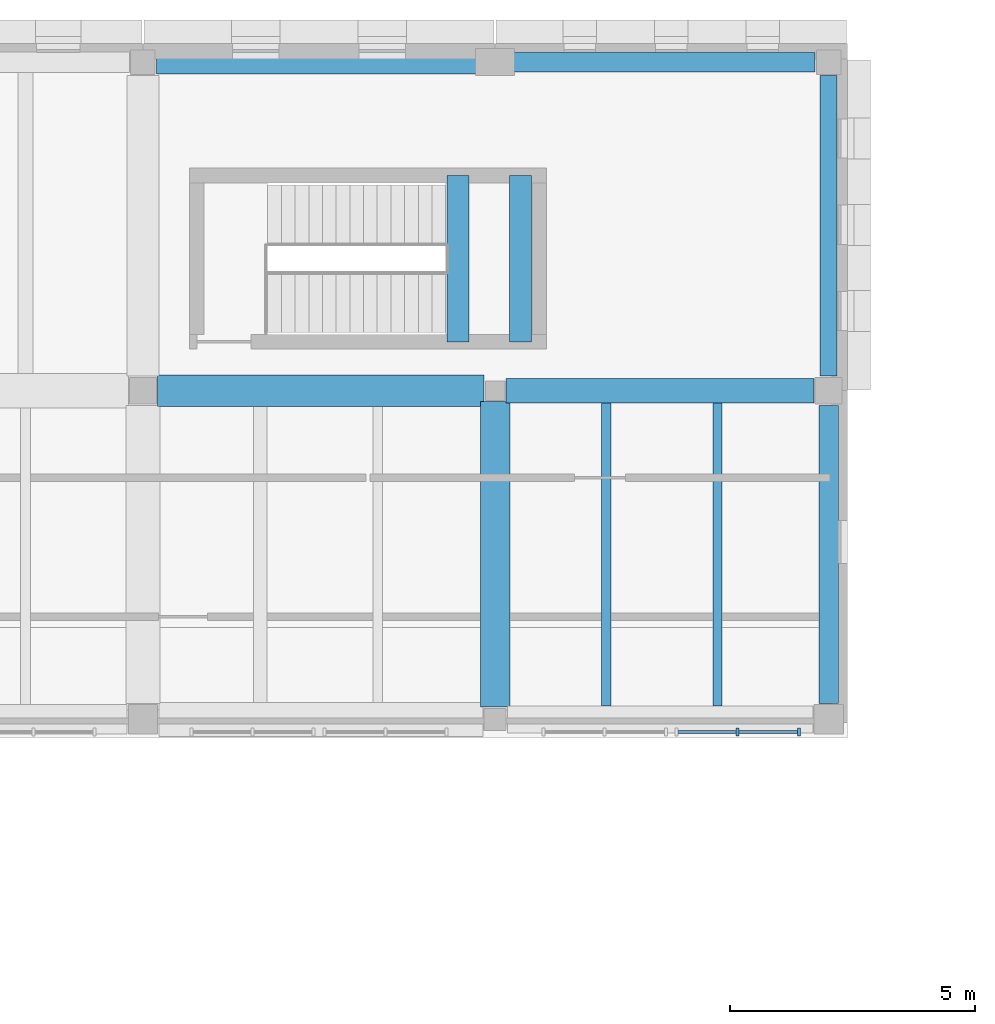
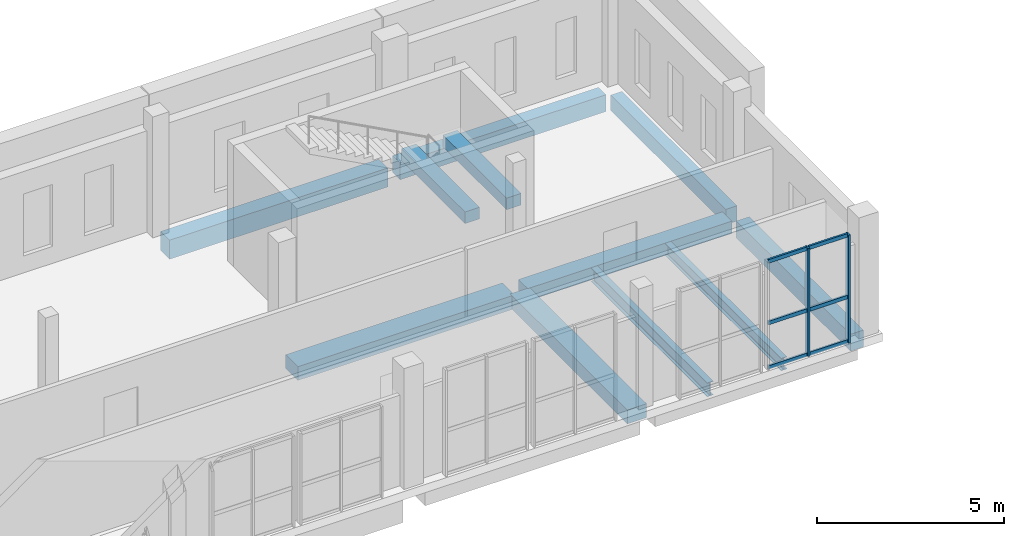
# One storey, part 19 of 56: 11 beams, 8 members, 1 element without a shape of its own.
"""IFC4 building model written with IfcOpenShell, lengths in metres."""

from ifc_helpers import new_model, si_unit, direction, frame, origin, origin_2d, place, context, subcontext, project, spatial, rectangle, i_section, extrude, material, layer, layer_set, material_profile, profile_set, type_object, element, aggregate, save


model = new_model("IFC4")

# Units and contexts
model_context = context("Model", 3, precision=1e-05, world=origin(), true_north=direction((0.0, 1.0)))
body_context = subcontext(model_context, "Body", "Model", "MODEL_VIEW")
ifc_project = project(units=[si_unit("LENGTHUNIT", "METRE"), si_unit("AREAUNIT", "SQUARE_METRE"), si_unit("VOLUMEUNIT", "CUBIC_METRE"), si_unit("PLANEANGLEUNIT", "RADIAN"), si_unit("MASSUNIT", "GRAM", prefix="KILO")], contexts=[model_context])

# Site, building, storey
site_placement = place(None, origin())
site = spatial("IfcSite", under=ifc_project, at=site_placement, CompositionType="ELEMENT")
building_placement = place(site_placement, origin())
building = spatial("IfcBuilding", under=site, at=building_placement, Name="Vardoun Plaza Health Centre", CompositionType="ELEMENT")
storey_placement = place(building_placement, frame((0.0, 0.0, 8.699951171875)))
storey = spatial("IfcBuildingStorey", under=building, at=storey_placement, Name="L02", CompositionType="ELEMENT", Elevation=8.699951171875)

# Beams
ifc_material_1 = material(Name="Concrete C35/45", Category="concrete")
ifc_material_profile_1 = material_profile(ifc_material_1, rectangle(XDim=0.35009765625, YDim=0.5, at=origin_2d()), Name="RC-BM 350x500")
ifc_profile_set_1 = profile_set([ifc_material_profile_1], Name="Concrete C35/45")
beam_type_1 = type_object("IfcBeamType", Name="B-08", PredefinedType="SPANDREL", material=ifc_profile_set_1)
beam_1_placement = place(storey_placement, frame((47.320068359375, 108.5, -0.514892578125), z_axis=(0.0, 1.0, 0.0), x_axis=(-1.0, 0.0, 0.0)))
element("IfcBeam", 1, at=beam_1_placement, inside=storey, type_object=beam_type_1, Name="V3 L02 Beam B-V3-L02-Y45", PredefinedType="SPANDREL", context=body_context, shape_type="SweptSolid", body=[
    extrude(rectangle(XDim=0.35009765625, YDim=0.5, at=origin_2d()), origin(), (0.0, 0.0, 1.0), 6.14501953125),
])
ifc_material_2 = material(Name="Concrete C35/45", Category="concrete")
ifc_material_profile_2 = material_profile(ifc_material_2, rectangle(XDim=0.39990234375, YDim=0.550048828125, at=origin_2d()), Name="RC-BM 400x550")
ifc_profile_set_2 = profile_set([ifc_material_profile_2], Name="Concrete C35/45")
beam_type_2 = type_object("IfcBeamType", Name="B-09", PredefinedType="SPANDREL", material=ifc_profile_set_2)
beam_2_placement = place(storey_placement, frame((40.699951171875, 114.919921875, -0.5400390625), z_axis=(1.0, 0.0, 0.0), x_axis=(0.0, 1.0, 0.0)))
element("IfcBeam", 2, at=beam_2_placement, inside=storey, type_object=beam_type_2, Name="V3 L02 Beam B-V3-L02-X24", PredefinedType="SPANDREL", context=body_context, shape_type="SweptSolid", body=[
    extrude(rectangle(XDim=0.39990234375, YDim=0.550048828125, at=origin_2d()), origin(), (0.0, 0.0, 1.0), 6.344970703125),
])
beam_3_placement = place(storey_placement, frame((47.320068359375, 101.804931640625, -0.5400390625), z_axis=(0.0, 1.0, 0.0), x_axis=(-1.0, 0.0, 0.0)))
element("IfcBeam", 3, at=beam_3_placement, inside=storey, type_object=beam_type_2, Name="V3 L02 Beam B-V3-L02-Y44", PredefinedType="SPANDREL", context=body_context, shape_type="SweptSolid", body=[
    extrude(rectangle(XDim=0.39990234375, YDim=0.550048828125, at=origin_2d()), origin(), (0.0, 0.0, 1.0), 6.09521484375),
])
ifc_material_3 = material(Name="Concrete C35/45", Category="concrete")
ifc_material_profile_3 = material_profile(ifc_material_3, rectangle(XDim=0.449951171875, YDim=0.3798828125, at=origin_2d()), Name="RC-BM 450x380")
ifc_profile_set_3 = profile_set([ifc_material_profile_3], Name="Concrete C35/45")
beam_type_3 = type_object("IfcBeamType", Name="B-01", PredefinedType="BEAM", material=ifc_profile_set_3)
for number, where, z_axis, x_axis, name in (
    (4, (39.739990234375, 109.199951171875, 1.7099609375), (0.0, 1.0, 0.0), (-1.0, 0.0, 0.0), "Stair ST-C4-L02 Landing Beam 1"),
    (5, (41.02001953125, 109.199951171875, 1.7099609375), (0.0, 1.0, 0.0), (-1.0, 0.0, 0.0), "Stair ST-C4-L02 Landing Beam 2"),
):
    element("IfcBeam", number, at=place(storey_placement, frame(where, z_axis=z_axis, x_axis=x_axis)), inside=storey, type_object=beam_type_3, Name=name, PredefinedType="BEAM", context=body_context, shape_type="SweptSolid", body=[
        extrude(rectangle(XDim=0.449951171875, YDim=0.3798828125, at=origin_2d()), origin(), (0.0, 0.0, 1.0), 3.400146484375),
    ])
ifc_material_4 = material(Name="Concrete C35/45", Category="concrete")
ifc_material_profile_4 = material_profile(ifc_material_4, rectangle(XDim=0.47998046875, YDim=0.6201171875, at=origin_2d()), Name="RC-BM 480x620")
ifc_profile_set_4 = profile_set([ifc_material_profile_4], Name="Concrete C35/45")
beam_type_4 = type_object("IfcBeamType", Name="B-12", PredefinedType="SPANDREL", material=ifc_profile_set_4)
beam_4_placement = place(storey_placement, frame((33.574951171875, 114.919921875, -0.574951171875), z_axis=(1.0, 0.0, 0.0), x_axis=(0.0, 1.0, 0.0)))
element("IfcBeam", 6, at=beam_4_placement, inside=storey, type_object=beam_type_4, Name="V3 L02 Beam B-V3-L02-X21", PredefinedType="SPANDREL", context=body_context, shape_type="SweptSolid", body=[
    extrude(rectangle(XDim=0.47998046875, YDim=0.6201171875, at=origin_2d()), origin(), (0.0, 0.0, 1.0), 6.72509765625),
])
ifc_material_5 = material(Name="Concrete C35/45", Category="concrete")
ifc_material_profile_5 = material_profile(ifc_material_5, rectangle(XDim=0.5, YDim=0.39990234375, at=origin_2d()), Name="RC-BM 500x400")
ifc_profile_set_5 = profile_set([ifc_material_profile_5], Name="Concrete C35/45")
beam_type_5 = type_object("IfcBeamType", Name="B-02", PredefinedType="BEAM", material=ifc_profile_set_5)
beam_5_placement = place(storey_placement, frame((40.72509765625, 108.199951171875, -0.46484375), z_axis=(1.0, 0.0, 0.0), x_axis=(0.0, 1.0, 0.0)))
element("IfcBeam", 7, at=beam_5_placement, inside=storey, type_object=beam_type_5, Name="V3 L02 Beam B-V3-L02-X23", PredefinedType="BEAM", context=body_context, shape_type="SweptSolid", body=[
    extrude(rectangle(XDim=0.5, YDim=0.39990234375, at=origin_2d()), origin(), (0.0, 0.0, 1.0), 6.294921875),
])
ifc_material_6 = material(Name="Concrete C35/45", Category="concrete")
ifc_material_profile_6 = material_profile(ifc_material_6, rectangle(XDim=0.60009765625, YDim=0.449951171875, at=origin_2d()), Name="RC-BM 600x450")
ifc_profile_set_6 = profile_set([ifc_material_profile_6], Name="Concrete C35/45")
beam_type_6 = type_object("IfcBeamType", Name="B-04", PredefinedType="BEAM", material=ifc_profile_set_6)
beam_6_placement = place(storey_placement, frame((40.5, 101.72998046875, -0.489990234375), z_axis=(0.0, 1.0, 0.0), x_axis=(-1.0, 0.0, 0.0)))
element("IfcBeam", 8, at=beam_6_placement, inside=storey, type_object=beam_type_6, Name="V3 L02 Beam B-V3-L02-Y43", PredefinedType="BEAM", context=body_context, shape_type="SweptSolid", body=[
    extrude(rectangle(XDim=0.60009765625, YDim=0.449951171875, at=origin_2d()), origin(), (0.0, 0.0, 1.0), 6.2451171875),
])
ifc_material_7 = material(Name="Concrete C35/45", Category="concrete")
ifc_material_profile_7 = material_profile(ifc_material_7, rectangle(XDim=0.64990234375, YDim=0.449951171875, at=origin_2d()), Name="RC-BM 650x450")
ifc_profile_set_7 = profile_set([ifc_material_profile_7], Name="Concrete C35/45")
beam_type_7 = type_object("IfcBeamType", Name="B-05", PredefinedType="BEAM", material=ifc_profile_set_7)
beam_7_placement = place(storey_placement, frame((33.60009765625, 108.199951171875, -0.489990234375), z_axis=(1.0, 0.0, 0.0), x_axis=(0.0, 1.0, 0.0)))
element("IfcBeam", 9, at=beam_7_placement, inside=storey, type_object=beam_type_7, Name="V3 L02 Beam B-V3-L02-X20", PredefinedType="BEAM", context=body_context, shape_type="SweptSolid", body=[
    extrude(rectangle(XDim=0.64990234375, YDim=0.449951171875, at=origin_2d()), origin(), (0.0, 0.0, 1.0), 6.675048828125),
])
ifc_material_8 = material(Name="Steel S355J2", Category="steel")
ifc_material_profile_8 = material_profile(ifc_material_8, i_section(OverallWidth=0.179931640625, OverallDepth=0.39990234375, WebThickness=0.008544921875, FlangeThickness=0.013427734375, FilletRadius=0.02099609375, at=origin_2d()), Name="IPE 400")
ifc_profile_set_8 = profile_set([ifc_material_profile_8], Name="Steel S355J2")
beam_type_8 = type_object("IfcBeamType", Name="SB-12", PredefinedType="BEAM", material=ifc_profile_set_8)
beam_8_placement = place(storey_placement, frame((45.046875, 101.7548828125, -0.46484375), z_axis=(0.0, 1.0, 0.0), x_axis=(-1.0, 0.0, 0.0)))
element("IfcBeam", 10, at=beam_8_placement, inside=storey, type_object=beam_type_8, Name="V3 L02 Secondary Floor Beam SJ-V3-L02-28", PredefinedType="BEAM", context=body_context, shape_type="SweptSolid", body=[
    extrude(i_section(OverallWidth=0.179931640625, OverallDepth=0.39990234375, WebThickness=0.008544921875, FlangeThickness=0.013427734375, FilletRadius=0.02099609375, at=origin_2d()), origin(), (0.0, 0.0, 1.0), 6.195068359375),
])
ifc_material_9 = material(Name="Steel S355J2", Category="steel")
ifc_material_profile_9 = material_profile(ifc_material_9, i_section(OverallWidth=0.18994140625, OverallDepth=0.449951171875, WebThickness=0.009521484375, FlangeThickness=0.0146484375, FilletRadius=0.02099609375, at=origin_2d()), Name="IPE 450")
ifc_profile_set_9 = profile_set([ifc_material_profile_9], Name="Steel S355J2")
beam_type_9 = type_object("IfcBeamType", Name="SB-11", PredefinedType="BEAM", material=ifc_profile_set_9)
beam_9_placement = place(storey_placement, frame((42.773193359375, 101.7548828125, -0.489990234375), z_axis=(0.0, 1.0, 0.0), x_axis=(-1.0, 0.0, 0.0)))
element("IfcBeam", 11, at=beam_9_placement, inside=storey, type_object=beam_type_9, Name="V3 L02 Secondary Floor Beam SJ-V3-L02-27", PredefinedType="BEAM", context=body_context, shape_type="SweptSolid", body=[
    extrude(i_section(OverallWidth=0.18994140625, OverallDepth=0.449951171875, WebThickness=0.009521484375, FlangeThickness=0.0146484375, FilletRadius=0.02099609375, at=origin_2d()), origin(), (0.0, 0.0, 1.0), 6.195068359375),
])

# Curtain wall, members
ifc_material_10 = material(Name="Aluminium Alloy EN AW-6063-T6 and Low-E Glass", Category="aluminium")
ifc_layer = layer(ifc_material_10, 0.159912109375)
ifc_layer_set = layer_set([ifc_layer], Name="Aluminium Alloy EN AW-6063-T6 and Low-E Glass")
curtain_wall_type = type_object("IfcCurtainWallType", Name="CW-02", PredefinedType="USERDEFINED", material=ifc_layer_set)
curtain_wall_placement = place(storey_placement, origin())
curtain_wall = element("IfcCurtainWall", 12, at=curtain_wall_placement, inside=storey, type_object=curtain_wall_type, Name="Curtain Wall CW-V3-073", ObjectType="COURTYARD_CURTAIN_WALL", PredefinedType="USERDEFINED")
ifc_material_11 = material(Name="Aluminium Alloy EN AW-6063-T6", Category="aluminium")
ifc_material_profile_10 = material_profile(ifc_material_11, rectangle(XDim=0.159912109375, YDim=0.06005859375, at=origin_2d()), Name="CWM 60x160")
ifc_profile_set_10 = profile_set([ifc_material_profile_10], Name="Aluminium Alloy EN AW-6063-T6")
member_type_1 = type_object("IfcMemberType", Name="CW-M1", PredefinedType="MULLION", material=ifc_profile_set_10)
member_1_placement = place(storey_placement, frame((46.7099609375, 101.219970703125, 0.0), z_axis=(0.0, 0.0, 1.0), x_axis=(0.0, -1.0, 0.0)))
member_1 = element("IfcMember", 13, at=member_1_placement, type_object=member_type_1, Name="CW-V3-073 mullion 1", PredefinedType="MULLION", context=body_context, shape_type="SweptSolid", body=[
    extrude(rectangle(XDim=0.159912109375, YDim=0.06005859375, at=origin_2d()), origin(), (0.0, 0.0, 1.0), 3.52001953125),
])
member_2_placement = place(storey_placement, frame((45.4599609375, 101.219970703125, 0.0), z_axis=(0.0, 0.0, 1.0), x_axis=(0.0, -1.0, 0.0)))
member_2 = element("IfcMember", 14, at=member_2_placement, type_object=member_type_1, Name="CW-V3-073 mullion 2", PredefinedType="MULLION", context=body_context, shape_type="SweptSolid", body=[
    extrude(rectangle(XDim=0.159912109375, YDim=0.06005859375, at=origin_2d()), origin(), (0.0, 0.0, 1.0), 3.52001953125),
])
ifc_material_12 = material(Name="Aluminium Alloy EN AW-6063-T6", Category="aluminium")
ifc_material_profile_11 = material_profile(ifc_material_12, rectangle(XDim=0.06005859375, YDim=0.1201171875, at=origin_2d()), Name="CWT 60x120")
ifc_profile_set_11 = profile_set([ifc_material_profile_11], Name="Aluminium Alloy EN AW-6063-T6")
member_type_2 = type_object("IfcMemberType", Name="CW-T1", PredefinedType="USERDEFINED", material=ifc_profile_set_11)
member_3_placement = place(storey_placement, frame((46.679931640625, 101.219970703125, 0.030029296875), z_axis=(-1.0, 0.0, 0.0), x_axis=(0.0, -1.0, 0.0)))
member_3 = element("IfcMember", 15, at=member_3_placement, type_object=member_type_2, Name="CW-V3-073 transom 1.1", ObjectType="TRANSOM", PredefinedType="USERDEFINED", context=body_context, shape_type="SweptSolid", body=[
    extrude(rectangle(XDim=0.06005859375, YDim=0.1201171875, at=origin_2d()), origin(), (0.0, 0.0, 1.0), 1.18994140625),
])
member_4_placement = place(storey_placement, frame((46.679931640625, 101.219970703125, 1.478515625), z_axis=(-1.0, 0.0, 0.0), x_axis=(0.0, -1.0, 0.0)))
member_4 = element("IfcMember", 16, at=member_4_placement, type_object=member_type_2, Name="CW-V3-073 transom 1.2", ObjectType="TRANSOM", PredefinedType="USERDEFINED", context=body_context, shape_type="SweptSolid", body=[
    extrude(rectangle(XDim=0.06005859375, YDim=0.1201171875, at=origin_2d()), origin(), (0.0, 0.0, 1.0), 1.18994140625),
])
member_5_placement = place(storey_placement, frame((46.679931640625, 101.219970703125, 3.489990234375), z_axis=(-1.0, 0.0, 0.0), x_axis=(0.0, -1.0, 0.0)))
member_5 = element("IfcMember", 17, at=member_5_placement, type_object=member_type_2, Name="CW-V3-073 transom 1.3", ObjectType="TRANSOM", PredefinedType="USERDEFINED", context=body_context, shape_type="SweptSolid", body=[
    extrude(rectangle(XDim=0.06005859375, YDim=0.1201171875, at=origin_2d()), origin(), (0.0, 0.0, 1.0), 1.18994140625),
])
member_6_placement = place(storey_placement, frame((45.429931640625, 101.219970703125, 0.030029296875), z_axis=(-1.0, 0.0, 0.0), x_axis=(0.0, -1.0, 0.0)))
member_6 = element("IfcMember", 18, at=member_6_placement, type_object=member_type_2, Name="CW-V3-073 transom 2.1", ObjectType="TRANSOM", PredefinedType="USERDEFINED", context=body_context, shape_type="SweptSolid", body=[
    extrude(rectangle(XDim=0.06005859375, YDim=0.1201171875, at=origin_2d()), origin(), (0.0, 0.0, 1.0), 1.18994140625),
])
member_7_placement = place(storey_placement, frame((45.429931640625, 101.219970703125, 1.478515625), z_axis=(-1.0, 0.0, 0.0), x_axis=(0.0, -1.0, 0.0)))
member_7 = element("IfcMember", 19, at=member_7_placement, type_object=member_type_2, Name="CW-V3-073 transom 2.2", ObjectType="TRANSOM", PredefinedType="USERDEFINED", context=body_context, shape_type="SweptSolid", body=[
    extrude(rectangle(XDim=0.06005859375, YDim=0.1201171875, at=origin_2d()), origin(), (0.0, 0.0, 1.0), 1.18994140625),
])
member_8_placement = place(storey_placement, frame((45.429931640625, 101.219970703125, 3.489990234375), z_axis=(-1.0, 0.0, 0.0), x_axis=(0.0, -1.0, 0.0)))
member_8 = element("IfcMember", 20, at=member_8_placement, type_object=member_type_2, Name="CW-V3-073 transom 2.3", ObjectType="TRANSOM", PredefinedType="USERDEFINED", context=body_context, shape_type="SweptSolid", body=[
    extrude(rectangle(XDim=0.06005859375, YDim=0.1201171875, at=origin_2d()), origin(), (0.0, 0.0, 1.0), 1.18994140625),
])
aggregate(curtain_wall, [member_1, member_2, member_3, member_4, member_5, member_6, member_7, member_8])

save(model, "model.ifc")
